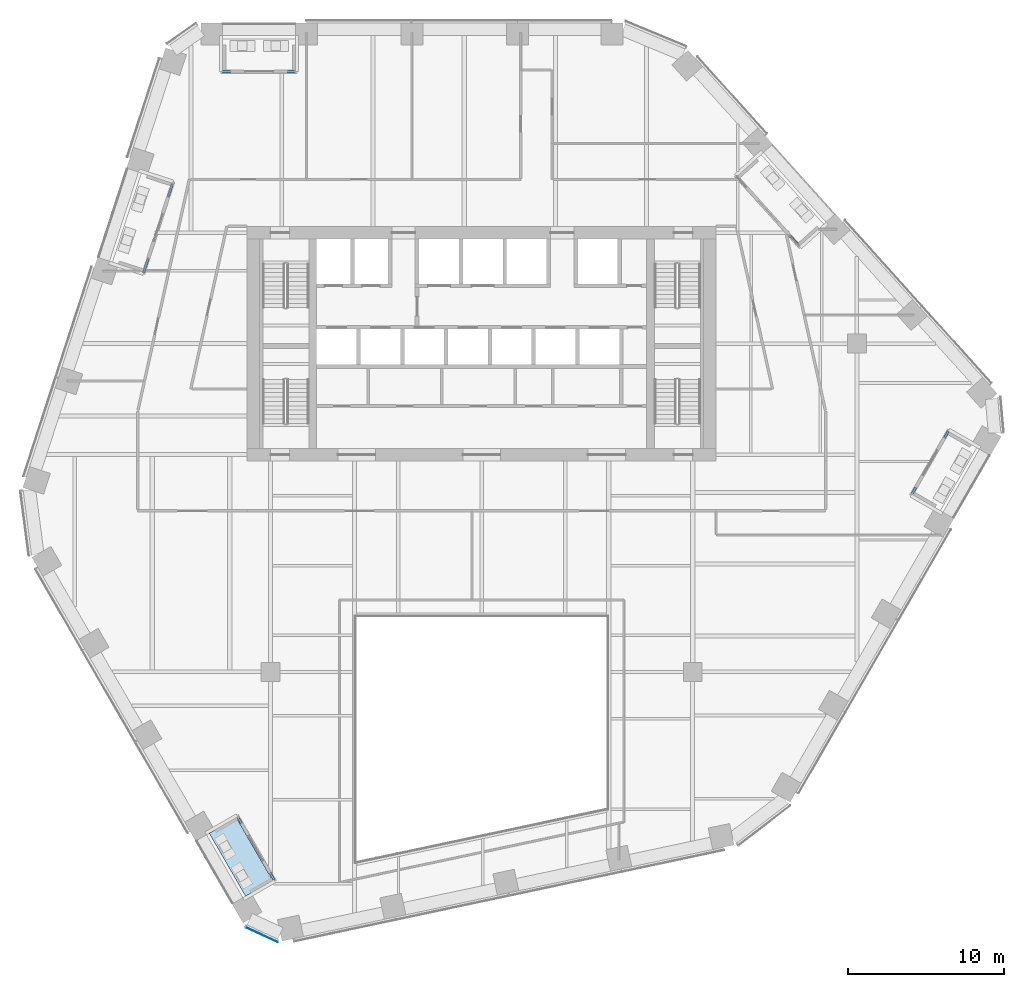
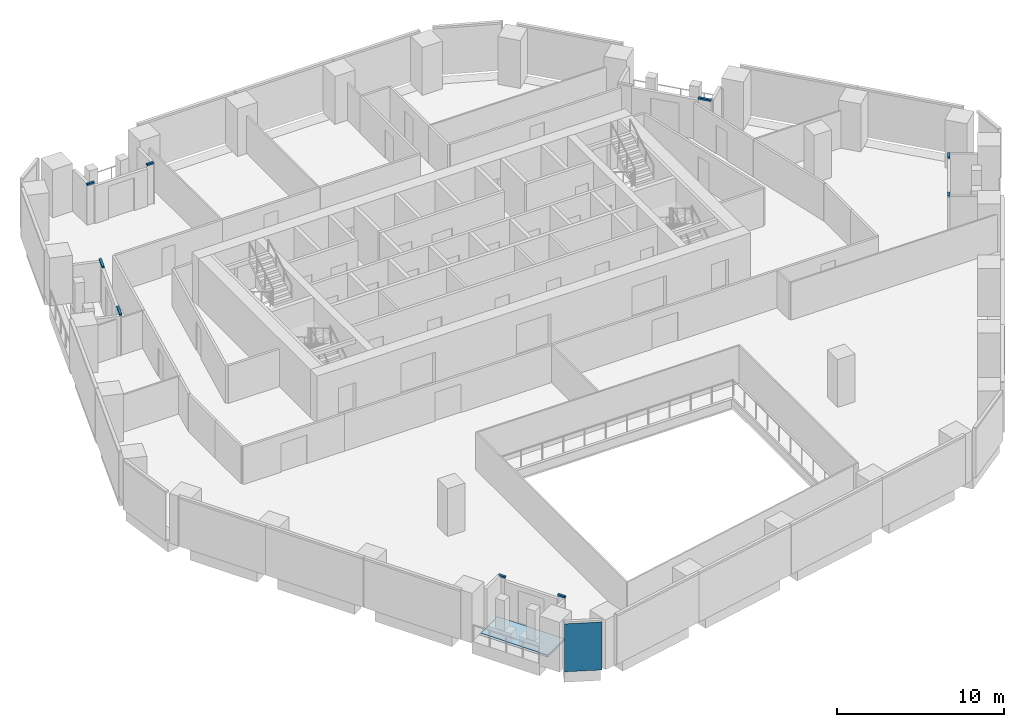
# One storey, part 12 of 26: 9 members, 1 plate, 1 slab, 6 elements without a shape of their own.
"""IFC4 building model written with IfcOpenShell, lengths in metres."""

import ifcopenshell
import ifcopenshell.guid

model = None  # the IFC model being written
_history = None  # IfcOwnerHistory: only IFC2X3 demands one
_inside = {}  # id of a spatial element -> (the spatial element, [elements in it])
_under = {}  # id of a project, library or spatial element -> (it, [spatial elements below it])
_declared = {}  # id of a project -> (the project, [libraries it declares])
_typed = {}  # id of a type object -> (the type object, [elements of that type])
_made_of = {}  # id of a material, layer set ... -> (it, [elements and type objects made of it])


def new_model(schema):
    """Start an empty IFC model of exactly this schema.

    Asked for "IFC4X3", IfcOpenShell would pick the latest addendum, in which some entities
    have other attributes; the version numbers below select the first issue.
    IFC2X3 requires an IfcOwnerHistory on every rooted entity: one is made here for all.
    """
    global model, _history
    if schema == "IFC4X3":
        model = ifcopenshell.file(schema_version=(4, 3, 0, 0))
    else:
        model = ifcopenshell.file(schema=schema)
    _inside.clear()
    _under.clear()
    _declared.clear()
    _typed.clear()
    _made_of.clear()
    _history = None
    if model.schema == "IFC2X3":
        org = make("IfcOrganization", Name="unknown")
        user = make(
            "IfcPersonAndOrganization",
            ThePerson=make("IfcPerson", FamilyName="unknown"),
            TheOrganization=org,
        )
        app = make(
            "IfcApplication",
            ApplicationDeveloper=org,
            Version="unknown",
            ApplicationFullName="unknown",
            ApplicationIdentifier="unknown",
        )
        _history = make(
            "IfcOwnerHistory",
            OwningUser=user,
            OwningApplication=app,
            ChangeAction="ADDED",
            CreationDate=0,
        )
    return model


def make(cls, **values):
    """One entity of the class cls with the attributes given. An attribute that is None is left unset."""
    return model.create_entity(
        cls, **{name: value for name, value in values.items() if value is not None}
    )


def rooted(cls, **values):
    """An entity with a GlobalId (a new one), such as an element, a storey or a relation."""
    return make(cls, GlobalId=ifcopenshell.guid.new(), OwnerHistory=_history, **values)


def si_unit(unit_type, name, prefix=None):
    """IfcSIUnit, for example si_unit("LENGTHUNIT", "METRE", prefix="MILLI")."""
    return make("IfcSIUnit", UnitType=unit_type, Prefix=prefix, Name=name)


def assignment(units):
    """IfcUnitAssignment: the units of a project."""
    return None if units is None else make("IfcUnitAssignment", Units=units)


def point(xyz):
    """IfcCartesianPoint."""
    return None if xyz is None else make("IfcCartesianPoint", Coordinates=xyz)


def direction(xyz):
    """IfcDirection."""
    return None if xyz is None else make("IfcDirection", DirectionRatios=xyz)


def frame(location, z_axis=None, x_axis=None):
    """IfcAxis2Placement3D, a coordinate frame: its origin and axes. An axis left out is left unset."""
    return make(
        "IfcAxis2Placement3D",
        Location=point(location),
        Axis=direction(z_axis),
        RefDirection=direction(x_axis),
    )


def frame_2d(location, x_axis=None):
    """IfcAxis2Placement2D, a coordinate frame in the plane: its origin and x axis."""
    return make(
        "IfcAxis2Placement2D", Location=point(location), RefDirection=direction(x_axis)
    )


def origin():
    """The frame at (0, 0, 0) with its axes left unset."""
    return frame((0.0, 0.0, 0.0))


def origin_2d():
    """The frame at (0, 0) in the plane with its x axis left unset."""
    return frame_2d((0.0, 0.0))


def place(relative_to, where):
    """IfcLocalPlacement: puts the frame where relative to a parent placement (None: the world)."""
    return make(
        "IfcLocalPlacement", PlacementRelTo=relative_to, RelativePlacement=where
    )


def context(
    kind, dimensions, precision=None, world=None, true_north=None, identifier=None
):
    """IfcGeometricRepresentationContext, for example the 3D "Model" context."""
    return make(
        "IfcGeometricRepresentationContext",
        ContextIdentifier=identifier,
        ContextType=kind,
        CoordinateSpaceDimension=dimensions,
        Precision=precision,
        WorldCoordinateSystem=world,
        TrueNorth=true_north,
    )


def subcontext(parent, identifier, kind, view, scale=None):
    """IfcGeometricRepresentationSubContext, for example "Body" below "Model"."""
    return make(
        "IfcGeometricRepresentationSubContext",
        ContextIdentifier=identifier,
        ContextType=kind,
        ParentContext=parent,
        TargetScale=scale,
        TargetView=view,
    )


def project(units=None, contexts=None):
    """IfcProject with its units and contexts."""
    return rooted(
        "IfcProject",
        Name="project",
        RepresentationContexts=contexts,
        UnitsInContext=assignment(units),
    )


def spatial(cls, under=None, at=None, **own):
    """A site, building, storey or space (cls), placed at a placement, below another one or the project."""
    s = rooted(cls, ObjectPlacement=at, **own)
    if under is not None:
        _under.setdefault(under.id(), (under, []))[1].append(s)
    return s


def polyline(points):
    """IfcPolyline through the points."""
    return make("IfcPolyline", Points=[point(p) for p in points])


def profile(cls, at=None, kind="AREA", **sizes):
    """A parametric profile (cls). Its sizes go by their IFC names, for example OverallWidth=200.0."""
    return make(cls, ProfileType=kind, Position=at, **sizes)


def rectangle(**sizes):
    """IfcRectangleProfileDef."""
    return profile("IfcRectangleProfileDef", **sizes)


def outline(outer, holes=None, kind="AREA"):
    """IfcArbitraryClosedProfileDef: a profile drawn as a closed curve; with holes, ...WithVoids."""
    if holes is None:
        return make("IfcArbitraryClosedProfileDef", ProfileType=kind, OuterCurve=outer)
    return make(
        "IfcArbitraryProfileDefWithVoids",
        ProfileType=kind,
        OuterCurve=outer,
        InnerCurves=holes,
    )


def extrude(swept, where, along, depth):
    """IfcExtrudedAreaSolid: the profile swept, set in the frame where, extruded along a direction by depth."""
    return make(
        "IfcExtrudedAreaSolid",
        SweptArea=swept,
        Position=where,
        ExtrudedDirection=direction(along),
        Depth=depth,
    )


def shape(context_of_items, identifier, shape_type, items):
    """IfcShapeRepresentation: the items that make up one representation, for example the "Body"."""
    return make(
        "IfcShapeRepresentation",
        ContextOfItems=context_of_items,
        RepresentationIdentifier=identifier,
        RepresentationType=shape_type,
        Items=items,
    )


def material(Name=None, Category=None):
    """IfcMaterial."""
    return make("IfcMaterial", Name=Name, Category=Category)


def layer(
    of_material, thickness, ventilated=None, Name=None, Category=None, Priority=None
):
    """IfcMaterialLayer: one layer of a wall or slab, of a material (None: an air gap)."""
    return make(
        "IfcMaterialLayer",
        Material=of_material,
        LayerThickness=thickness,
        IsVentilated=ventilated,
        Name=Name,
        Category=Category,
        Priority=Priority,
    )


def layer_set(layers, Name=None):
    """IfcMaterialLayerSet."""
    return make("IfcMaterialLayerSet", MaterialLayers=layers, LayerSetName=Name)


def material_profile(
    of_material, cross_section, Name=None, Category=None, Priority=None
):
    """IfcMaterialProfile: a cross section and its material."""
    return make(
        "IfcMaterialProfile",
        Name=Name,
        Material=of_material,
        Profile=cross_section,
        Priority=Priority,
        Category=Category,
    )


def profile_set(profiles, Name=None, composite=None):
    """IfcMaterialProfileSet."""
    return make(
        "IfcMaterialProfileSet",
        Name=Name,
        MaterialProfiles=profiles,
        CompositeProfile=composite,
    )


def made_of(thing, what):
    """Note that an element or type object is made of a material, layer set ...; save() writes the relation."""
    if what is not None:
        _made_of.setdefault(what.id(), (what, []))[1].append(thing)
    return thing


def type_object(cls, material=None, **own):
    """A type object (cls), such as IfcWallType, which elements share."""
    return made_of(rooted(cls, **own), material)


def element(
    cls,
    number,
    at=None,
    inside=None,
    cuts=None,
    type_object=None,
    material=None,
    context=None,
    identifier="Body",
    shape_type=None,
    held_by="IfcProductDefinitionShape",
    body=None,
    shapes=None,
    **own,
):
    """One element of the class cls, such as IfcWall. Its Tag is "e" and its number.

    at: its placement. inside: the storey or other place that contains it. cuts: it is an
    opening in that element (IfcRelVoidsElement). A single representation is given by context,
    identifier, shape_type and body (its items); several are given by shapes. held_by: the class
    of the entity that holds the representations. save() writes the other relations.
    """
    e = rooted(cls, Tag="e%d" % number, ObjectPlacement=at, **own)
    if body is not None:
        shapes = [shape(context, identifier, shape_type, body)]
    if shapes is not None:
        e.Representation = make(held_by, Representations=shapes)
    if inside is not None:
        _inside.setdefault(inside.id(), (inside, []))[1].append(e)
    if cuts is not None:
        rooted(
            "IfcRelVoidsElement", RelatingBuildingElement=cuts, RelatedOpeningElement=e
        )
    if type_object is not None:
        _typed.setdefault(type_object.id(), (type_object, []))[1].append(e)
    return made_of(e, material)


def aggregate(whole, parts):
    """IfcRelAggregates: a whole, such as a stair, and the parts it consists of."""
    return rooted("IfcRelAggregates", RelatingObject=whole, RelatedObjects=parts)


def save(model, path):
    """Write the relations noted so far, then the file.

    IfcRelAggregates (storeys below a building ...), IfcRelContainedInSpatialStructure (elements
    in a storey), IfcRelDefinesByType, IfcRelAssociatesMaterial and IfcRelDeclares: one each for
    every whole, place, type object, material and project.
    """
    for whole, parts in _under.values():
        aggregate(whole, parts)
    for where, things in _inside.values():
        rooted(
            "IfcRelContainedInSpatialStructure",
            RelatedElements=things,
            RelatingStructure=where,
        )
    for kind, things in _typed.values():
        rooted("IfcRelDefinesByType", RelatedObjects=things, RelatingType=kind)
    for what, things in _made_of.values():
        rooted("IfcRelAssociatesMaterial", RelatedObjects=things, RelatingMaterial=what)
    for by, libraries in _declared.values():
        rooted("IfcRelDeclares", RelatingContext=by, RelatedDefinitions=libraries)
    model.write(path)


model = new_model("IFC4")

# Units and contexts
model_context = context("Model", 3, precision=1e-05, world=origin(), true_north=direction((0.0, 1.0)))
body_context = subcontext(model_context, "Body", "Model", "MODEL_VIEW")
ifc_project = project(units=[si_unit("LENGTHUNIT", "METRE"), si_unit("AREAUNIT", "SQUARE_METRE"), si_unit("VOLUMEUNIT", "CUBIC_METRE"), si_unit("PLANEANGLEUNIT", "RADIAN"), si_unit("MASSUNIT", "GRAM", prefix="KILO")], contexts=[model_context])

# Site, building, storey
site_placement = place(None, origin())
site = spatial("IfcSite", under=ifc_project, at=site_placement, CompositionType="ELEMENT")
building_placement = place(site_placement, origin())
building = spatial("IfcBuilding", under=site, at=building_placement, Name="Isthmus Gate Tower", CompositionType="ELEMENT")
storey_placement = place(building_placement, frame((0.0, 0.0, 144.39990234375)))
storey = spatial("IfcBuildingStorey", under=building, at=storey_placement, Name="L35", CompositionType="ELEMENT", Elevation=144.39990234375)

# Curtain wall, members
ifc_material_1 = material(Name="Aluminium, pale champagne anodised", Category="aluminium")
ifc_layer_1 = layer(ifc_material_1, 0.14990234375)
ifc_layer_set_1 = layer_set([ifc_layer_1], Name="CW-6 LOGGIA BACK WALL GLAZING 150 DEEP")
curtain_wall_type_1 = type_object("IfcCurtainWallType", Name="CW-6 LOGGIA BACK WALL GLAZING 150 DEEP", PredefinedType="NOTDEFINED", material=ifc_layer_set_1)
curtain_wall_1_placement = place(storey_placement, origin())
curtain_wall_1 = element("IfcCurtainWall", 1, at=curtain_wall_1_placement, inside=storey, type_object=curtain_wall_type_1, Name="CW-6 N L35", PredefinedType="NOTDEFINED")
ifc_material_2 = material(Name="Aluminium, pale champagne anodised", Category="aluminium")
ifc_material_profile = material_profile(ifc_material_2, rectangle(XDim=0.14990234375, YDim=0.1201171875, at=origin_2d()), Name="150x120")
ifc_profile_set = profile_set([ifc_material_profile], Name="Aluminium, pale champagne anodised")
member_type = type_object("IfcMemberType", Name="CW-6 TRANSOM 150 X 120", PredefinedType="USERDEFINED", material=ifc_profile_set)
member_1_placement = place(storey_placement, frame((-11.971923828125, 24.89990234375, 2.989990234375), z_axis=(-1.0, 0.0, 0.0), x_axis=(0.0, -1.0, 0.0)))
member_1 = element("IfcMember", 2, at=member_1_placement, type_object=member_type, Name="CW-6 transom", ObjectType="TRANSOM", PredefinedType="USERDEFINED", context=body_context, shape_type="SweptSolid", body=[
    extrude(rectangle(XDim=0.14990234375, YDim=0.1201171875, at=origin_2d()), origin(), (0.0, 0.0, 1.0), 0.43994140625),
])
member_2_placement = place(storey_placement, frame((-16.06201171875, 24.89990234375, 2.989990234375), z_axis=(-1.0, 0.0, 0.0), x_axis=(0.0, -1.0, 0.0)))
member_2 = element("IfcMember", 3, at=member_2_placement, type_object=member_type, Name="CW-6 transom", ObjectType="TRANSOM", PredefinedType="USERDEFINED", context=body_context, shape_type="SweptSolid", body=[
    extrude(rectangle(XDim=0.14990234375, YDim=0.1201171875, at=origin_2d()), origin(), (0.0, 0.0, 1.0), 0.5),
])
aggregate(curtain_wall_1, [member_1, member_2])

curtain_wall_2_placement = place(storey_placement, origin())
curtain_wall_2 = element("IfcCurtainWall", 4, at=curtain_wall_2_placement, inside=storey, type_object=curtain_wall_type_1, Name="CW-6 NW L35", PredefinedType="NOTDEFINED")
member_3_placement = place(storey_placement, frame((-19.785400390625, 17.705078125, 2.989990234375), z_axis=(-0.308940671895, -0.951081311586, 0.0), x_axis=(0.951081311586, -0.308940671895, 0.0)))
member_3 = element("IfcMember", 5, at=member_3_placement, type_object=member_type, Name="CW-6 transom", ObjectType="TRANSOM", PredefinedType="USERDEFINED", context=body_context, shape_type="SweptSolid", body=[
    extrude(rectangle(XDim=0.14990234375, YDim=0.1201171875, at=origin_2d()), origin(), (0.0, 0.0, 1.0), 0.835205078125),
])
member_4_placement = place(storey_placement, frame((-21.34130859375, 12.916259765625, 2.989990234375), z_axis=(-0.308938094753, -0.951082148718, 0.0), x_axis=(0.951082148718, -0.308938094753, 0.0)))
member_4 = element("IfcMember", 6, at=member_4_placement, type_object=member_type, Name="CW-6 transom", ObjectType="TRANSOM", PredefinedType="USERDEFINED", context=body_context, shape_type="SweptSolid", body=[
    extrude(rectangle(XDim=0.14990234375, YDim=0.1201171875, at=origin_2d()), origin(), (0.0, 0.0, 1.0), 0.895263671875),
])
aggregate(curtain_wall_2, [member_3, member_4])

curtain_wall_3_placement = place(storey_placement, origin())
curtain_wall_3 = element("IfcCurtainWall", 7, at=curtain_wall_3_placement, inside=storey, type_object=curtain_wall_type_1, Name="CW-6 SW L35", PredefinedType="NOTDEFINED")
member_5_placement = place(storey_placement, frame((-15.578125, -22.81787109375, 2.989990234375), z_axis=(0.499898558967, -0.866083962871, 0.0), x_axis=(0.866083962871, 0.499898558967, 0.0)))
member_5 = element("IfcMember", 8, at=member_5_placement, type_object=member_type, Name="CW-6 transom", ObjectType="TRANSOM", PredefinedType="USERDEFINED", context=body_context, shape_type="SweptSolid", body=[
    extrude(rectangle(XDim=0.14990234375, YDim=0.1201171875, at=origin_2d()), origin(), (0.0, 0.0, 1.0), 0.43994140625),
])
member_6_placement = place(storey_placement, frame((-13.532958984375, -26.360107421875, 2.989990234375), z_axis=(0.500131122175, -0.865949687125, 0.0), x_axis=(0.865949687125, 0.500131122175, 0.0)))
member_6 = element("IfcMember", 9, at=member_6_placement, type_object=member_type, Name="CW-6 transom", ObjectType="TRANSOM", PredefinedType="USERDEFINED", context=body_context, shape_type="SweptSolid", body=[
    extrude(rectangle(XDim=0.14990234375, YDim=0.1201171875, at=origin_2d()), origin(), (0.0, 0.0, 1.0), 0.499755859375),
])
aggregate(curtain_wall_3, [member_5, member_6])

curtain_wall_4_placement = place(storey_placement, origin())
curtain_wall_4 = element("IfcCurtainWall", 10, at=curtain_wall_4_placement, inside=storey, type_object=curtain_wall_type_1, Name="CW-6 SE L35", PredefinedType="NOTDEFINED")
member_7_placement = place(storey_placement, frame((27.550048828125, -2.08203125, 2.989990234375), z_axis=(0.499898558967, 0.866083962871, 0.0), x_axis=(-0.866083962871, 0.499898558967, 0.0)))
member_7 = element("IfcMember", 11, at=member_7_placement, type_object=member_type, Name="CW-6 transom", ObjectType="TRANSOM", PredefinedType="USERDEFINED", context=body_context, shape_type="SweptSolid", body=[
    extrude(rectangle(XDim=0.14990234375, YDim=0.1201171875, at=origin_2d()), origin(), (0.0, 0.0, 1.0), 0.43994140625),
])
member_8_placement = place(storey_placement, frame((29.594970703125, 1.4599609375, 2.989990234375), z_axis=(0.499919672301, 0.866071776036, 0.0), x_axis=(-0.866071776036, 0.499919672301, 0.0)))
member_8 = element("IfcMember", 12, at=member_8_placement, type_object=member_type, Name="CW-6 transom", ObjectType="TRANSOM", PredefinedType="USERDEFINED", context=body_context, shape_type="SweptSolid", body=[
    extrude(rectangle(XDim=0.14990234375, YDim=0.1201171875, at=origin_2d()), origin(), (0.0, 0.0, 1.0), 0.5),
])
aggregate(curtain_wall_4, [member_7, member_8])

# Curtain wall, member
curtain_wall_5_placement = place(storey_placement, origin())
curtain_wall_5 = element("IfcCurtainWall", 13, at=curtain_wall_5_placement, inside=storey, type_object=curtain_wall_type_1, Name="CW-6 NE L35", PredefinedType="NOTDEFINED")
member_9_placement = place(storey_placement, frame((20.2802734375, 13.7744140625, 2.989990234375), z_axis=(-0.66901317326, 0.743250545916, 0.0), x_axis=(-0.743250545916, -0.66901317326, 0.0)))
member_9 = element("IfcMember", 14, at=member_9_placement, type_object=member_type, Name="CW-6 transom", ObjectType="TRANSOM", PredefinedType="USERDEFINED", context=body_context, shape_type="SweptSolid", body=[
    extrude(rectangle(XDim=0.14990234375, YDim=0.1201171875, at=origin_2d()), origin(), (0.0, 0.0, 1.0), 0.835205078125),
])
aggregate(curtain_wall_5, [member_9])

# Curtain wall, plate
ifc_material_3 = material(Name="Aluminium, pale champagne anodised", Category="aluminium")
ifc_layer_2 = layer(ifc_material_3, 0.199951171875)
ifc_layer_set_2 = layer_set([ifc_layer_2], Name="CW-1 UNITISED CURTAIN WALL 200 DEEP")
curtain_wall_type_2 = type_object("IfcCurtainWallType", Name="CW-1 UNITISED CURTAIN WALL 200 DEEP", PredefinedType="NOTDEFINED", material=ifc_layer_set_2)
curtain_wall_6_placement = place(storey_placement, origin())
curtain_wall_6 = element("IfcCurtainWall", 15, at=curtain_wall_6_placement, inside=storey, type_object=curtain_wall_type_2, Name="CW-1 SW-S L35", PredefinedType="NOTDEFINED")
ifc_material_4 = material(Name="Laminated low-iron glass, pale blue tint", Category="glass")
ifc_layer_3 = layer(ifc_material_4, 0.035888671875)
ifc_layer_set_3 = layer_set([ifc_layer_3], Name="CW-1 CLEAR GLASS LITE 36")
plate_type = type_object("IfcPlateType", Name="CW-1 CLEAR GLASS LITE 36", PredefinedType="CURTAIN_PANEL", material=ifc_layer_set_3)
plate_placement = place(storey_placement, frame((-14.07373046875, -30.3095703125, 0.0), z_axis=(0.0, 0.0, 1.0), x_axis=(0.907256261367, -0.420578264073, 0.0)))
plate = element("IfcPlate", 16, at=plate_placement, type_object=plate_type, Name="CW-1 glass lite", PredefinedType="CURTAIN_PANEL", context=body_context, shape_type="SweptSolid", body=[
    extrude(rectangle(XDim=2.258544921875, YDim=0.035888671875, at=origin_2d()), origin(), (0.0, 0.0, 1.0), 3.510009765625),
])
aggregate(curtain_wall_6, [plate])

# Slab
ifc_material_5 = material(Name="Concrete f'c 50 MPa", Category="concrete")
ifc_layer_4 = layer(ifc_material_5, 0.14990234375)
ifc_layer_set_4 = layer_set([ifc_layer_4], Name="LOGGIA FLOOR SLAB 150")
slab_type = type_object("IfcSlabType", Name="LOGGIA FLOOR SLAB 150", PredefinedType="FLOOR", material=ifc_layer_set_4)
slab_placement = place(storey_placement, frame((0.0, 0.0, -0.14990234375)))
element("IfcSlab", 17, at=slab_placement, inside=storey, type_object=slab_type, Name="LOGGIA FLOOR", PredefinedType="FLOOR", context=body_context, shape_type="SweptSolid", body=[
    extrude(outline(polyline([(-17.4267578125, -23.81591796875), (-15.101806640625, -27.843017578125), (-13.36962890625, -26.843017578125), (-15.69482421875, -22.81591796875), (-17.4267578125, -23.81591796875)])), origin(), (0.0, 0.0, 1.0), 0.14990234375),
])

save(model, "model.ifc")
